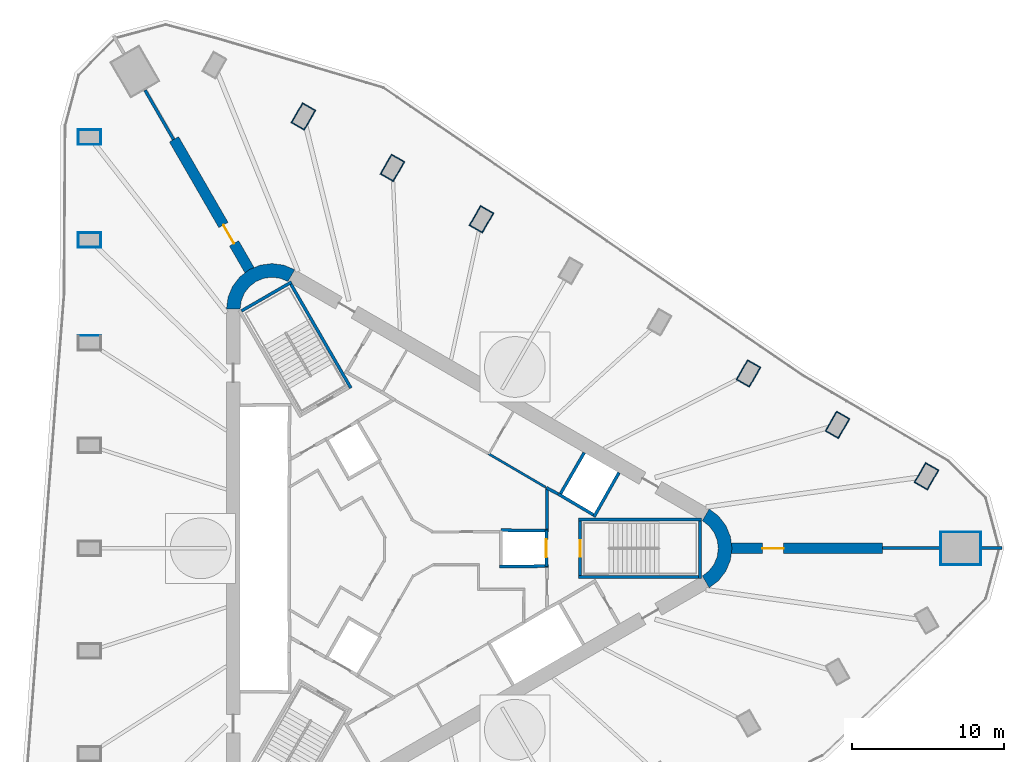
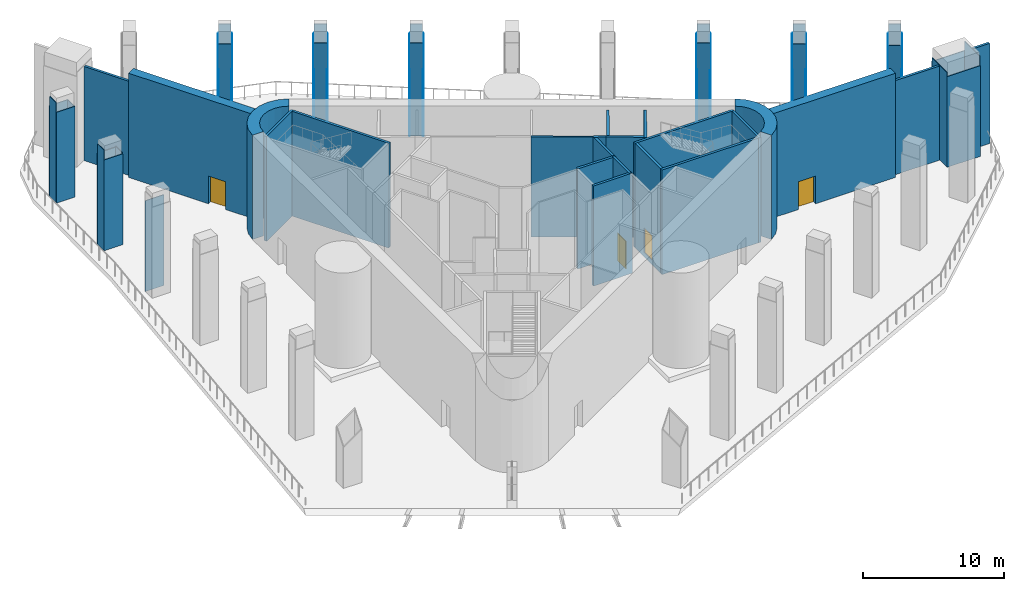
# One storey, part 5 of 10: 59 walls, 4 doors, 4 openings.
"""IFC4 building model written with IfcOpenShell, lengths in metres."""

from ifc_helpers import new_model, si_unit, direction, frame, frame_2d, origin, place, context, subcontext, project, spatial, polyline, rectangle, outline, extrude, material, layer, layer_set, type_object, element, fill, save


model = new_model("IFC4")

# Units and contexts
model_context = context("Model", 3, precision=1e-05, world=origin(), true_north=direction((0.0, 1.0)))
body_context = subcontext(model_context, "Body", "Model", "MODEL_VIEW")
ifc_project = project(units=[si_unit("LENGTHUNIT", "METRE"), si_unit("AREAUNIT", "SQUARE_METRE"), si_unit("VOLUMEUNIT", "CUBIC_METRE"), si_unit("PLANEANGLEUNIT", "RADIAN"), si_unit("MASSUNIT", "GRAM", prefix="KILO")], contexts=[model_context])

# Site, building, storey
site_placement = place(None, origin())
site = spatial("IfcSite", under=ifc_project, at=site_placement, CompositionType="ELEMENT")
building_placement = place(site_placement, origin())
building = spatial("IfcBuilding", under=site, at=building_placement, Name="Tanit Gate Tower", CompositionType="ELEMENT")
storey_placement = place(building_placement, frame((0.0, 0.0, 283.699951171875)))
storey = spatial("IfcBuildingStorey", under=building, at=storey_placement, Name="L64", CompositionType="ELEMENT", Elevation=283.699951171875)

# Wall, opening, door
ifc_material_1 = material(Name="Concrete C50/60", Category="concrete")
ifc_layer_1 = layer(ifc_material_1, 0.699951171875)
ifc_layer_set_1 = layer_set([ifc_layer_1], Name="BUTTRESS FIN 700 C50/60")
wall_type_1 = type_object("IfcWallType", Name="BUTTRESS FIN 700 C50/60", PredefinedType="SHEAR", material=ifc_layer_set_1)
wall_1_placement = place(storey_placement, frame((21.14990234375, 0.0, 0.0), z_axis=(0.0, 0.0, 1.0), x_axis=(1.0, 0.0, 0.0)))
wall_1 = element("IfcWall", 1, at=wall_1_placement, inside=storey, type_object=wall_type_1, Name="BUTTRESS FIN", PredefinedType="SHEAR", context=body_context, shape_type="SweptSolid", body=[
    extrude(rectangle(XDim=9.964599609375, YDim=0.699951171875, at=frame_2d((4.982421875, 0.0))), origin(), (0.0, 0.0, 1.0), 9.0),
])
opening_1_placement = place(wall_1_placement, frame((2.050048828125, 0.0, 0.0)))
opening_1 = element("IfcOpeningElement", 2, at=opening_1_placement, cuts=wall_1, Name="Opening P14-64-F-E-1", PredefinedType="OPENING", context=body_context, shape_type="SweptSolid", body=[
    extrude(rectangle(XDim=1.39990234375, YDim=2.39990234375, at=frame_2d((0.699951171875, 1.199951171875))), frame((0.0, 0.35986328125, 0.0), z_axis=(0.0, -1.0, 0.0), x_axis=(1.0, 0.0, 0.0)), (0.0, 0.0, 1.0), 0.719970703125),
])
ifc_material_2 = material(Name="Timber door leaf", Category="wood")
door_type_1 = type_object("IfcDoorType", Name="INT-DOOR-FIN-PAIR-1400", OperationType="NOTDEFINED", PredefinedType="NOTDEFINED", material=ifc_material_2)
door_1_placement = place(opening_1_placement, origin())
door_1 = element("IfcDoor", 3, at=door_1_placement, inside=storey, type_object=door_type_1, Name="Door P14-64-F-E-1", OperationType="DOUBLE_DOOR_SINGLE_SWING", OverallHeight=2.39990234375, OverallWidth=1.39990234375, PredefinedType="NOTDEFINED", context=body_context, shape_type="SweptSolid", body=[
    extrude(rectangle(XDim=1.39990234375, YDim=2.39990234375, at=frame_2d((0.699951171875, 1.199951171875))), frame((0.0, 0.02490234375, 0.0), z_axis=(0.0, -1.0, 0.0), x_axis=(1.0, 0.0, 0.0)), (0.0, 0.0, 1.0), 0.050048828125),
])
fill(opening_1, door_1)

wall_2_placement = place(storey_placement, frame((-10.574951171875, 18.31640625, 0.0), z_axis=(0.0, 0.0, 1.0), x_axis=(-0.500007350791, 0.866021159762, 0.0)))
wall_2 = element("IfcWall", 4, at=wall_2_placement, inside=storey, type_object=wall_type_1, Name="BUTTRESS FIN", PredefinedType="SHEAR", context=body_context, shape_type="SweptSolid", body=[
    extrude(rectangle(XDim=9.964599609375, YDim=0.699951171875, at=frame_2d((4.982421875, 0.0))), origin(), (0.0, 0.0, 1.0), 9.0),
])
opening_2_placement = place(wall_2_placement, frame((2.050048828125, 0.0, 0.0)))
opening_2 = element("IfcOpeningElement", 5, at=opening_2_placement, cuts=wall_2, Name="Opening P14-64-F-NW-1", PredefinedType="OPENING", context=body_context, shape_type="SweptSolid", body=[
    extrude(rectangle(XDim=1.39990234375, YDim=2.39990234375, at=frame_2d((0.699951171875, 1.199951171875))), frame((0.0, 0.35986328125, 0.0), z_axis=(0.0, -1.0, 0.0), x_axis=(1.0, 0.0, 0.0)), (0.0, 0.0, 1.0), 0.719970703125),
])
door_2_placement = place(opening_2_placement, origin())
door_2 = element("IfcDoor", 6, at=door_2_placement, inside=storey, type_object=door_type_1, Name="Door P14-64-F-NW-1", OperationType="DOUBLE_DOOR_SINGLE_SWING", OverallHeight=2.39990234375, OverallWidth=1.39990234375, PredefinedType="NOTDEFINED", context=body_context, shape_type="SweptSolid", body=[
    extrude(rectangle(XDim=1.39990234375, YDim=2.39990234375, at=frame_2d((0.699951171875, 1.199951171875))), frame((0.0, 0.02490234375, 0.0), z_axis=(0.0, -1.0, 0.0), x_axis=(1.0, 0.0, 0.0)), (0.0, 0.0, 1.0), 0.050048828125),
])
fill(opening_2, door_2)

# Walls
ifc_material_3 = material(Name="Concrete C50/60", Category="concrete")
ifc_layer_2 = layer(ifc_material_3, 0.89990234375)
ifc_layer_set_2 = layer_set([ifc_layer_2], Name="CORE WALL 900 C50/60")
wall_type_2 = type_object("IfcWallType", Name="CORE WALL 900 C50/60", PredefinedType="SHEAR", material=ifc_layer_set_2)
wall_3_placement = place(storey_placement, origin())
element("IfcWall", 7, at=wall_3_placement, inside=storey, type_object=wall_type_2, Name="CORE WALL CORNER", PredefinedType="SHEAR", context=body_context, shape_type="SweptSolid", body=[
    extrude(outline(polyline([(-7.60009765625, 18.359619140625), (-8.323486328125, 18.659423828125), (-9.10009765625, 18.76171875), (-9.87646484375, 18.659423828125), (-10.60009765625, 18.359619140625), (-11.22119140625, 17.883056640625), (-11.697998046875, 17.26171875), (-11.997802734375, 16.5380859375), (-12.10009765625, 15.76171875), (-11.199951171875, 15.76171875), (-11.12841796875, 16.30517578125), (-10.918701171875, 16.811767578125), (-10.5849609375, 17.24658203125), (-10.14990234375, 17.580322265625), (-9.6435546875, 17.7900390625), (-9.10009765625, 17.86181640625), (-8.556396484375, 17.7900390625), (-8.050048828125, 17.580322265625), (-7.60009765625, 18.359619140625)])), origin(), (0.0, 0.0, 1.0), 9.0),
])
wall_4_placement = place(storey_placement, origin())
element("IfcWall", 8, at=wall_4_placement, inside=storey, type_object=wall_type_2, Name="CORE WALL CORNER", PredefinedType="SHEAR", context=body_context, shape_type="SweptSolid", body=[
    extrude(outline(polyline([(19.699951171875, -2.59814453125), (20.3212890625, -2.121337890625), (20.798095703125, -1.5), (21.097900390625, -0.776611328125), (21.199951171875, 0.0), (21.097900390625, 0.776611328125), (20.798095703125, 1.5), (20.3212890625, 2.121337890625), (19.699951171875, 2.59814453125), (19.25, 1.818603515625), (19.684814453125, 1.48486328125), (20.018798828125, 1.050048828125), (20.228515625, 0.54345703125), (20.300048828125, 0.0), (20.228515625, -0.54345703125), (20.018798828125, -1.050048828125), (19.684814453125, -1.48486328125), (19.25, -1.818603515625), (19.699951171875, -2.59814453125)])), origin(), (0.0, 0.0, 1.0), 9.0),
])
ifc_material_4 = material(Name="Bronze anodised aluminium cladding", Category="aluminium")
ifc_layer_3 = layer(ifc_material_4, 0.06005859375)
ifc_layer_set_3 = layer_set([ifc_layer_3], Name="Column casing bronze 60")
wall_type_3 = type_object("IfcWallType", Name="Column casing bronze 60", PredefinedType="SOLIDWALL", material=ifc_layer_set_3)
for number, where, z_axis, x_axis, name in (
    (9, (34.91015625, 1.080078125, 0.0), (0.0, 0.0, 1.0), (1.0, 0.0, 0.0), "Column casing L64 M-E.L1"),
    (10, (34.91015625, -1.080078125, 0.0), (0.0, 0.0, 1.0), (1.0, 0.0, 0.0), "Column casing L64 M-E.L2"),
):
    element("IfcWall", number, at=place(storey_placement, frame(where, z_axis=z_axis, x_axis=x_axis)), inside=storey, type_object=wall_type_3, Name=name, PredefinedType="SOLIDWALL", context=body_context, shape_type="SweptSolid", body=[
        extrude(rectangle(XDim=2.719970703125, YDim=0.06005859375, at=frame_2d((1.35986328125, 0.0))), origin(), (0.0, 0.0, 1.0), 7.8359375),
    ])
wall_5_placement = place(storey_placement, frame((37.60009765625, -1.050048828125, 0.0), z_axis=(0.0, 0.0, 1.0), x_axis=(0.0, 1.0, 0.0)))
element("IfcWall", 11, at=wall_5_placement, inside=storey, type_object=wall_type_3, Name="Column casing L64 M-E.S1", PredefinedType="SOLIDWALL", context=body_context, shape_type="SweptSolid", body=[
    extrude(rectangle(XDim=2.10009765625, YDim=0.06005859375, at=frame_2d((1.050048828125, 0.0))), origin(), (0.0, 0.0, 1.0), 8.650146484375),
])
wall_6_placement = place(storey_placement, frame((34.940185546875, -1.050048828125, 0.0), z_axis=(0.0, 0.0, 1.0), x_axis=(0.0, 1.0, 0.0)))
element("IfcWall", 12, at=wall_6_placement, inside=storey, type_object=wall_type_3, Name="Column casing L64 M-E.S2", PredefinedType="SOLIDWALL", context=body_context, shape_type="SweptSolid", body=[
    extrude(rectangle(XDim=2.10009765625, YDim=0.06005859375, at=frame_2d((1.050048828125, 0.0))), origin(), (0.0, 0.0, 1.0), 8.16015625),
])
for number, where, z_axis, x_axis, name in (
    (13, (-20.361328125, 26.60400390625, 0.0), (0.0, 0.0, 1.0), (-1.0, 0.0, 0.0), "Column casing L64 P-W1.L1"),
    (14, (-20.361328125, 27.56396484375, 0.0), (0.0, 0.0, 1.0), (-1.0, 0.0, 0.0), "Column casing L64 P-W1.L2"),
):
    element("IfcWall", number, at=place(storey_placement, frame(where, z_axis=z_axis, x_axis=x_axis)), inside=storey, type_object=wall_type_3, Name=name, PredefinedType="SOLIDWALL", context=body_context, shape_type="SweptSolid", body=[
        extrude(rectangle(XDim=1.52001953125, YDim=0.06005859375, at=frame_2d((0.760009765625, 0.0))), origin(), (0.0, 0.0, 1.0), 7.8359375),
    ])
wall_7_placement = place(storey_placement, frame((-21.851318359375, 27.533935546875, 0.0), z_axis=(0.0, 0.0, 1.0), x_axis=(0.0, -1.0, 0.0)))
element("IfcWall", 15, at=wall_7_placement, inside=storey, type_object=wall_type_3, Name="Column casing L64 P-W1.S1", PredefinedType="SOLIDWALL", context=body_context, shape_type="SweptSolid", body=[
    extrude(rectangle(XDim=0.900146484375, YDim=0.06005859375, at=frame_2d((0.4501953125, 0.0))), origin(), (0.0, 0.0, 1.0), 8.650146484375),
])
wall_8_placement = place(storey_placement, frame((-20.391357421875, 27.533935546875, 0.0), z_axis=(0.0, 0.0, 1.0), x_axis=(0.0, -1.0, 0.0)))
element("IfcWall", 16, at=wall_8_placement, inside=storey, type_object=wall_type_3, Name="Column casing L64 P-W1.S2", PredefinedType="SOLIDWALL", context=body_context, shape_type="SweptSolid", body=[
    extrude(rectangle(XDim=0.900146484375, YDim=0.06005859375, at=frame_2d((0.4501953125, 0.0))), origin(), (0.0, 0.0, 1.0), 7.8359375),
])
for number, where, z_axis, x_axis, name in (
    (17, (-20.361328125, 19.8330078125, 0.0), (0.0, 0.0, 1.0), (-1.0, 0.0, 0.0), "Column casing L64 P-W2.L1"),
    (18, (-20.361328125, 20.79296875, 0.0), (0.0, 0.0, 1.0), (-1.0, 0.0, 0.0), "Column casing L64 P-W2.L2"),
):
    element("IfcWall", number, at=place(storey_placement, frame(where, z_axis=z_axis, x_axis=x_axis)), inside=storey, type_object=wall_type_3, Name=name, PredefinedType="SOLIDWALL", context=body_context, shape_type="SweptSolid", body=[
        extrude(rectangle(XDim=1.52001953125, YDim=0.06005859375, at=frame_2d((0.760009765625, 0.0))), origin(), (0.0, 0.0, 1.0), 7.8359375),
    ])
wall_9_placement = place(storey_placement, frame((-21.851318359375, 20.762939453125, 0.0), z_axis=(0.0, 0.0, 1.0), x_axis=(0.0, -1.0, 0.0)))
element("IfcWall", 19, at=wall_9_placement, inside=storey, type_object=wall_type_3, Name="Column casing L64 P-W2.S1", PredefinedType="SOLIDWALL", context=body_context, shape_type="SweptSolid", body=[
    extrude(rectangle(XDim=0.900146484375, YDim=0.06005859375, at=frame_2d((0.4501953125, 0.0))), origin(), (0.0, 0.0, 1.0), 8.650146484375),
])
wall_10_placement = place(storey_placement, frame((-20.391357421875, 20.762939453125, 0.0), z_axis=(0.0, 0.0, 1.0), x_axis=(0.0, -1.0, 0.0)))
element("IfcWall", 20, at=wall_10_placement, inside=storey, type_object=wall_type_3, Name="Column casing L64 P-W2.S2", PredefinedType="SOLIDWALL", context=body_context, shape_type="SweptSolid", body=[
    extrude(rectangle(XDim=0.900146484375, YDim=0.06005859375, at=frame_2d((0.4501953125, 0.0))), origin(), (0.0, 0.0, 1.0), 7.9599609375),
])
for number, where, z_axis, x_axis, name in (
    (21, (-20.361328125, 14.02197265625, 0.0), (0.0, 0.0, 1.0), (-1.0, 0.0, 0.0), "Column casing L64 P-W3.L2"),
    (22, (33.220458984375, 4.33154296875, 0.0), (0.0, 0.0, 1.0), (0.499991248344, 0.866030456496, 0.0), "Column casing L64 P-NE1.L1"),
    (23, (34.0517578125, 3.8515625, 0.0), (0.0, 0.0, 1.0), (0.499991248344, 0.866030456496, 0.0), "Column casing L64 P-NE1.L2"),
):
    element("IfcWall", number, at=place(storey_placement, frame(where, z_axis=z_axis, x_axis=x_axis)), inside=storey, type_object=wall_type_3, Name=name, PredefinedType="SOLIDWALL", context=body_context, shape_type="SweptSolid", body=[
        extrude(rectangle(XDim=1.52001953125, YDim=0.06005859375, at=frame_2d((0.760009765625, 0.0))), origin(), (0.0, 0.0, 1.0), 7.8359375),
    ])
wall_11_placement = place(storey_placement, frame((34.770751953125, 5.156982421875, 0.0), z_axis=(0.0, 0.0, 1.0), x_axis=(-0.866013897511, 0.50001992892, 0.0)))
element("IfcWall", 24, at=wall_11_placement, inside=storey, type_object=wall_type_3, Name="Column casing L64 P-NE1.S1", PredefinedType="SOLIDWALL", context=body_context, shape_type="SweptSolid", body=[
    extrude(rectangle(XDim=0.89990234375, YDim=0.06005859375, at=frame_2d((0.449951171875, 0.0))), origin(), (0.0, 0.0, 1.0), 8.650146484375),
])
wall_12_placement = place(storey_placement, frame((34.040771484375, 3.892578125, 0.0), z_axis=(0.0, 0.0, 1.0), x_axis=(-0.866013897511, 0.50001992892, 0.0)))
element("IfcWall", 25, at=wall_12_placement, inside=storey, type_object=wall_type_3, Name="Column casing L64 P-NE1.S2", PredefinedType="SOLIDWALL", context=body_context, shape_type="SweptSolid", body=[
    extrude(rectangle(XDim=0.89990234375, YDim=0.06005859375, at=frame_2d((0.449951171875, 0.0))), origin(), (0.0, 0.0, 1.0), 7.8359375),
])
for number, where, z_axis, x_axis, name in (
    (26, (27.3564453125, 7.717041015625, 0.0), (0.0, 0.0, 1.0), (0.499991248344, 0.866030456496, 0.0), "Column casing L64 P-NE2.L1"),
    (27, (28.18798828125, 7.237060546875, 0.0), (0.0, 0.0, 1.0), (0.499991248344, 0.866030456496, 0.0), "Column casing L64 P-NE2.L2"),
):
    element("IfcWall", number, at=place(storey_placement, frame(where, z_axis=z_axis, x_axis=x_axis)), inside=storey, type_object=wall_type_3, Name=name, PredefinedType="SOLIDWALL", context=body_context, shape_type="SweptSolid", body=[
        extrude(rectangle(XDim=1.52001953125, YDim=0.06005859375, at=frame_2d((0.760009765625, 0.0))), origin(), (0.0, 0.0, 1.0), 7.8359375),
    ])
wall_13_placement = place(storey_placement, frame((28.906982421875, 8.54248046875, 0.0), z_axis=(0.0, 0.0, 1.0), x_axis=(-0.866081705922, 0.499902469156, 0.0)))
element("IfcWall", 28, at=wall_13_placement, inside=storey, type_object=wall_type_3, Name="Column casing L64 P-NE2.S1", PredefinedType="SOLIDWALL", context=body_context, shape_type="SweptSolid", body=[
    extrude(rectangle(XDim=0.900146484375, YDim=0.06005859375, at=frame_2d((0.4501953125, 0.0))), origin(), (0.0, 0.0, 1.0), 8.650146484375),
])
wall_14_placement = place(storey_placement, frame((28.177001953125, 7.278076171875, 0.0), z_axis=(0.0, 0.0, 1.0), x_axis=(-0.866081705922, 0.499902469156, 0.0)))
element("IfcWall", 29, at=wall_14_placement, inside=storey, type_object=wall_type_3, Name="Column casing L64 P-NE2.S2", PredefinedType="SOLIDWALL", context=body_context, shape_type="SweptSolid", body=[
    extrude(rectangle(XDim=0.900146484375, YDim=0.06005859375, at=frame_2d((0.4501953125, 0.0))), origin(), (0.0, 0.0, 1.0), 7.9599609375),
])
for number, where, z_axis, x_axis, name in (
    (30, (21.49267578125, 11.1025390625, 0.0), (0.0, 0.0, 1.0), (0.499991248344, 0.866030456496, 0.0), "Column casing L64 P-NE3.L1"),
    (31, (22.32421875, 10.62255859375, 0.0), (0.0, 0.0, 1.0), (0.49987077196, 0.866100000774, 0.0), "Column casing L64 P-NE3.L2"),
):
    element("IfcWall", number, at=place(storey_placement, frame(where, z_axis=z_axis, x_axis=x_axis)), inside=storey, type_object=wall_type_3, Name=name, PredefinedType="SOLIDWALL", context=body_context, shape_type="SweptSolid", body=[
        extrude(rectangle(XDim=1.52001953125, YDim=0.06005859375, at=frame_2d((0.760009765625, 0.0))), origin(), (0.0, 0.0, 1.0), 7.8359375),
    ])
wall_15_placement = place(storey_placement, frame((23.043212890625, 11.927978515625, 0.0), z_axis=(0.0, 0.0, 1.0), x_axis=(-0.866081705922, 0.499902469156, 0.0)))
element("IfcWall", 32, at=wall_15_placement, inside=storey, type_object=wall_type_3, Name="Column casing L64 P-NE3.S1", PredefinedType="SOLIDWALL", context=body_context, shape_type="SweptSolid", body=[
    extrude(rectangle(XDim=0.900146484375, YDim=0.06005859375, at=frame_2d((0.4501953125, 0.0))), origin(), (0.0, 0.0, 1.0), 8.650146484375),
])
wall_16_placement = place(storey_placement, frame((22.31298828125, 10.66357421875, 0.0), z_axis=(0.0, 0.0, 1.0), x_axis=(-0.866013897511, 0.50001992892, 0.0)))
element("IfcWall", 33, at=wall_16_placement, inside=storey, type_object=wall_type_3, Name="Column casing L64 P-NE3.S2", PredefinedType="SOLIDWALL", context=body_context, shape_type="SweptSolid", body=[
    extrude(rectangle(XDim=0.89990234375, YDim=0.06005859375, at=frame_2d((0.449951171875, 0.0))), origin(), (0.0, 0.0, 1.0), 8.050048828125),
])
for number, where, z_axis, x_axis, name in (
    (34, (3.901123046875, 21.259033203125, 0.0), (0.0, 0.0, 1.0), (0.499991248344, 0.866030456496, 0.0), "Column casing L64 P-NE6.L1"),
    (35, (4.732666015625, 20.779052734375, 0.0), (0.0, 0.0, 1.0), (0.499991248344, 0.866030456496, 0.0), "Column casing L64 P-NE6.L2"),
):
    element("IfcWall", number, at=place(storey_placement, frame(where, z_axis=z_axis, x_axis=x_axis)), inside=storey, type_object=wall_type_3, Name=name, PredefinedType="SOLIDWALL", context=body_context, shape_type="SweptSolid", body=[
        extrude(rectangle(XDim=1.52001953125, YDim=0.06005859375, at=frame_2d((0.760009765625, 0.0))), origin(), (0.0, 0.0, 1.0), 7.8359375),
    ])
wall_17_placement = place(storey_placement, frame((5.45166015625, 22.08447265625, 0.0), z_axis=(0.0, 0.0, 1.0), x_axis=(-0.866081705922, 0.499902469156, 0.0)))
element("IfcWall", 36, at=wall_17_placement, inside=storey, type_object=wall_type_3, Name="Column casing L64 P-NE6.S1", PredefinedType="SOLIDWALL", context=body_context, shape_type="SweptSolid", body=[
    extrude(rectangle(XDim=0.900146484375, YDim=0.06005859375, at=frame_2d((0.4501953125, 0.0))), origin(), (0.0, 0.0, 1.0), 8.650146484375),
])
wall_18_placement = place(storey_placement, frame((4.7216796875, 20.820068359375, 0.0), z_axis=(0.0, 0.0, 1.0), x_axis=(-0.866081705922, 0.499902469156, 0.0)))
element("IfcWall", 37, at=wall_18_placement, inside=storey, type_object=wall_type_3, Name="Column casing L64 P-NE6.S2", PredefinedType="SOLIDWALL", context=body_context, shape_type="SweptSolid", body=[
    extrude(rectangle(XDim=0.900146484375, YDim=0.06005859375, at=frame_2d((0.4501953125, 0.0))), origin(), (0.0, 0.0, 1.0), 8.050048828125),
])
for number, where, z_axis, x_axis, name in (
    (38, (-1.962646484375, 24.64453125, 0.0), (0.0, 0.0, 1.0), (0.499991248344, 0.866030456496, 0.0), "Column casing L64 P-NE7.L1"),
    (39, (-1.13134765625, 24.16455078125, 0.0), (0.0, 0.0, 1.0), (0.499991248344, 0.866030456496, 0.0), "Column casing L64 P-NE7.L2"),
):
    element("IfcWall", number, at=place(storey_placement, frame(where, z_axis=z_axis, x_axis=x_axis)), inside=storey, type_object=wall_type_3, Name=name, PredefinedType="SOLIDWALL", context=body_context, shape_type="SweptSolid", body=[
        extrude(rectangle(XDim=1.52001953125, YDim=0.06005859375, at=frame_2d((0.760009765625, 0.0))), origin(), (0.0, 0.0, 1.0), 7.8359375),
    ])
wall_19_placement = place(storey_placement, frame((-0.412353515625, 25.469970703125, 0.0), z_axis=(0.0, 0.0, 1.0), x_axis=(-0.866013897511, 0.50001992892, 0.0)))
element("IfcWall", 40, at=wall_19_placement, inside=storey, type_object=wall_type_3, Name="Column casing L64 P-NE7.S1", PredefinedType="SOLIDWALL", context=body_context, shape_type="SweptSolid", body=[
    extrude(rectangle(XDim=0.89990234375, YDim=0.06005859375, at=frame_2d((0.449951171875, 0.0))), origin(), (0.0, 0.0, 1.0), 8.650146484375),
])
wall_20_placement = place(storey_placement, frame((-1.142333984375, 24.20556640625, 0.0), z_axis=(0.0, 0.0, 1.0), x_axis=(-0.866013897511, 0.50001992892, 0.0)))
element("IfcWall", 41, at=wall_20_placement, inside=storey, type_object=wall_type_3, Name="Column casing L64 P-NE7.S2", PredefinedType="SOLIDWALL", context=body_context, shape_type="SweptSolid", body=[
    extrude(rectangle(XDim=0.89990234375, YDim=0.06005859375, at=frame_2d((0.449951171875, 0.0))), origin(), (0.0, 0.0, 1.0), 8.050048828125),
])
for number, where, z_axis, x_axis, name in (
    (42, (-7.826416015625, 28.030029296875, 0.0), (0.0, 0.0, 1.0), (0.499991248344, 0.866030456496, 0.0), "Column casing L64 P-NE8.L1"),
    (43, (-6.9951171875, 27.550048828125, 0.0), (0.0, 0.0, 1.0), (0.499991248344, 0.866030456496, 0.0), "Column casing L64 P-NE8.L2"),
):
    element("IfcWall", number, at=place(storey_placement, frame(where, z_axis=z_axis, x_axis=x_axis)), inside=storey, type_object=wall_type_3, Name=name, PredefinedType="SOLIDWALL", context=body_context, shape_type="SweptSolid", body=[
        extrude(rectangle(XDim=1.52001953125, YDim=0.06005859375, at=frame_2d((0.760009765625, 0.0))), origin(), (0.0, 0.0, 1.0), 7.8359375),
    ])
wall_21_placement = place(storey_placement, frame((-6.276123046875, 28.85546875, 0.0), z_axis=(0.0, 0.0, 1.0), x_axis=(-0.866013897511, 0.50001992892, 0.0)))
element("IfcWall", 44, at=wall_21_placement, inside=storey, type_object=wall_type_3, Name="Column casing L64 P-NE8.S1", PredefinedType="SOLIDWALL", context=body_context, shape_type="SweptSolid", body=[
    extrude(rectangle(XDim=0.89990234375, YDim=0.06005859375, at=frame_2d((0.449951171875, 0.0))), origin(), (0.0, 0.0, 1.0), 8.650146484375),
])
wall_22_placement = place(storey_placement, frame((-7.006103515625, 27.591064453125, 0.0), z_axis=(0.0, 0.0, 1.0), x_axis=(-0.866013897511, 0.50001992892, 0.0)))
element("IfcWall", 45, at=wall_22_placement, inside=storey, type_object=wall_type_3, Name="Column casing L64 P-NE8.S2", PredefinedType="SOLIDWALL", context=body_context, shape_type="SweptSolid", body=[
    extrude(rectangle(XDim=0.89990234375, YDim=0.06005859375, at=frame_2d((0.449951171875, 0.0))), origin(), (0.0, 0.0, 1.0), 7.9599609375),
])
ifc_material_5 = material(Name="Fire-rated gypsum board partition")
ifc_layer_4 = layer(ifc_material_5, 0.199951171875)
ifc_layer_set_4 = layer_set([ifc_layer_4], Name="INT-WALL-COMPARTMENT")
wall_type_4 = type_object("IfcWallType", Name="INT-WALL-COMPARTMENT", PredefinedType="PARTITIONING", material=ifc_layer_set_4)
wall_23_placement = place(storey_placement, frame((8.97412109375, 3.998779296875, 0.0), z_axis=(0.0, 0.0, 1.0), x_axis=(0.880917147855, -0.473270513147, 0.0)))
element("IfcWall", 46, at=wall_23_placement, inside=storey, type_object=wall_type_4, Name="Wall Compartment W045", PredefinedType="PARTITIONING", context=body_context, shape_type="SweptSolid", body=[
    extrude(rectangle(XDim=0.8779296875, YDim=0.199951171875, at=frame_2d((0.43896484375, 0.0))), origin(), (0.0, 0.0, 1.0), 8.650146484375),
])
wall_24_placement = place(storey_placement, frame((9.0009765625, 1.27001953125, 0.0), z_axis=(0.0, 0.0, 1.0), x_axis=(0.01074821465, 0.999942236273, 0.0)))
element("IfcWall", 47, at=wall_24_placement, inside=storey, type_object=wall_type_4, Name="Wall Compartment W059", PredefinedType="PARTITIONING", context=body_context, shape_type="SweptSolid", body=[
    extrude(rectangle(XDim=2.725830078125, YDim=0.199951171875, at=frame_2d((1.36279296875, 0.0))), origin(), (0.0, 0.0, 1.0), 8.650146484375),
])
wall_25_placement = place(storey_placement, frame((-17.461181640625, 30.183349609375, 0.0), z_axis=(0.0, 0.0, 1.0), x_axis=(0.500026313257, -0.866010211285, 0.0)))
element("IfcWall", 48, at=wall_25_placement, inside=storey, type_object=wall_type_4, Name="Wall Compartment W084", PredefinedType="PARTITIONING", context=body_context, shape_type="SweptSolid", body=[
    extrude(rectangle(XDim=3.755615234375, YDim=0.199951171875, at=frame_2d((1.8779296875, 0.0))), origin(), (0.0, 0.0, 1.0), 8.130126953125),
])
wall_26_placement = place(storey_placement, frame((38.988037109375, 0.030029296875, 0.0), z_axis=(0.0, 0.0, 1.0), x_axis=(-1.0, 0.0, 0.0)))
element("IfcWall", 49, at=wall_26_placement, inside=storey, type_object=wall_type_4, Name="Wall Compartment W088", PredefinedType="PARTITIONING", context=body_context, shape_type="SweptSolid", body=[
    extrude(rectangle(XDim=1.31787109375, YDim=0.199951171875, at=frame_2d((0.658935546875, 0.0))), origin(), (0.0, 0.0, 1.0), 8.650146484375),
])
wall_27_placement = place(storey_placement, frame((34.8701171875, 0.030029296875, 0.0), z_axis=(0.0, 0.0, 1.0), x_axis=(-1.0, 0.0, 0.0)))
element("IfcWall", 50, at=wall_27_placement, inside=storey, type_object=wall_type_4, Name="Wall Compartment W087", PredefinedType="PARTITIONING", context=body_context, shape_type="SweptSolid", body=[
    extrude(rectangle(XDim=3.755615234375, YDim=0.199951171875, at=frame_2d((1.8779296875, 0.0))), origin(), (0.0, 0.0, 1.0), 8.130126953125),
])
ifc_material_6 = material(Name="Fire-rated gypsum board partition")
ifc_layer_5 = layer(ifc_material_6, 0.14990234375)
ifc_layer_set_5 = layer_set([ifc_layer_5], Name="INT-WALL-RISER")
wall_type_5 = type_object("IfcWallType", Name="INT-WALL-RISER", PredefinedType="PLUMBINGWALL", material=ifc_layer_set_5)
wall_28_placement = place(storey_placement, frame((8.9306640625, 4.024658203125, 0.0), z_axis=(0.0, 0.0, 1.0), x_axis=(-0.862666884027, 0.505772525157, 0.0)))
element("IfcWall", 51, at=wall_28_placement, inside=storey, type_object=wall_type_5, Name="Wall Riser W046", PredefinedType="PLUMBINGWALL", context=body_context, shape_type="SweptSolid", body=[
    extrude(rectangle(XDim=4.371826171875, YDim=0.14990234375, at=frame_2d((2.18603515625, 0.0))), origin(), (0.0, 0.0, 1.0), 8.650146484375),
])
ifc_material_7 = material(Name="Gypsum shaft wall system")
ifc_layer_6 = layer(ifc_material_7, 0.199951171875)
ifc_layer_set_6 = layer_set([ifc_layer_6], Name="INT-WALL-SHAFT")
wall_type_6 = type_object("IfcWallType", Name="INT-WALL-SHAFT", PredefinedType="PLUMBINGWALL", material=ifc_layer_set_6)
wall_29_placement = place(storey_placement, frame((9.8466796875, 3.494873046875, 0.0), z_axis=(0.0, 0.0, 1.0), x_axis=(0.499984717929, 0.866034226713, 0.0)))
element("IfcWall", 52, at=wall_29_placement, inside=storey, type_object=wall_type_6, Name="Wall Shaft W012", PredefinedType="PLUMBINGWALL", context=body_context, shape_type="SweptSolid", body=[
    extrude(rectangle(XDim=3.25, YDim=0.199951171875, at=frame_2d((1.625, 0.0))), origin(), (0.0, 0.0, 1.0), 8.650146484375),
])
wall_30_placement = place(storey_placement, frame((12.10986328125, 2.07275390625, 0.0), z_axis=(0.0, 0.0, 1.0), x_axis=(0.49196600604, 0.870614408852, 0.0)))
element("IfcWall", 53, at=wall_30_placement, inside=storey, type_object=wall_type_6, Name="Wall Shaft W013", PredefinedType="PLUMBINGWALL", context=body_context, shape_type="SweptSolid", body=[
    extrude(rectangle(XDim=3.35009765625, YDim=0.199951171875, at=frame_2d((1.675048828125, 0.0))), origin(), (0.0, 0.0, 1.0), 8.650146484375),
])
wall_31_placement = place(storey_placement, frame((12.072998046875, 2.2109375, 0.0), z_axis=(0.0, 0.0, 1.0), x_axis=(-0.860414880418, 0.509594185166, 0.0)))
element("IfcWall", 54, at=wall_31_placement, inside=storey, type_object=wall_type_6, Name="Wall Shaft W014", PredefinedType="PLUMBINGWALL", context=body_context, shape_type="SweptSolid", body=[
    extrude(rectangle(XDim=2.7001953125, YDim=0.199951171875, at=frame_2d((1.35009765625, 0.0))), origin(), (0.0, 0.0, 1.0), 8.650146484375),
])

# Wall, opening, door
wall_32_placement = place(storey_placement, frame((8.969970703125, 1.199951171875, 0.0), z_axis=(0.0, 0.0, 1.0), x_axis=(0.0, -1.0, 0.0)))
wall_32 = element("IfcWall", 55, at=wall_32_placement, inside=storey, type_object=wall_type_6, Name="Wall Shaft W024", PredefinedType="PLUMBINGWALL", context=body_context, shape_type="SweptSolid", body=[
    extrude(rectangle(XDim=2.39990234375, YDim=0.199951171875, at=frame_2d((1.199951171875, 0.0))), origin(), (0.0, 0.0, 1.0), 8.650146484375),
])
opening_3_placement = place(wall_32_placement, frame((0.60009765625, 0.0, 0.0)))
opening_3 = element("IfcOpeningElement", 56, at=opening_3_placement, cuts=wall_32, Name="Opening LDFL1-L64", PredefinedType="OPENING", context=body_context, shape_type="SweptSolid", body=[
    extrude(rectangle(XDim=1.199951171875, YDim=2.39990234375, at=frame_2d((0.60009765625, 1.199951171875))), frame((0.0, 0.10986328125, 0.0), z_axis=(0.0, -1.0, 0.0), x_axis=(1.0, 0.0, 0.0)), (0.0, 0.0, 1.0), 0.219970703125),
])
ifc_material_8 = material(Name="Stainless steel sliding door leaf", Category="steel")
door_type_2 = type_object("IfcDoorType", Name="INT-DOOR-LANDING-1200", OperationType="NOTDEFINED", PredefinedType="USERDEFINED", material=ifc_material_8)
door_3_placement = place(opening_3_placement, origin())
door_3 = element("IfcDoor", 57, at=door_3_placement, inside=storey, type_object=door_type_2, Name="Door LDFL1-L64", ObjectType="LANDING DOOR", OperationType="SLIDING_TO_LEFT", OverallHeight=2.39990234375, OverallWidth=1.199951171875, PredefinedType="USERDEFINED", context=body_context, shape_type="SweptSolid", body=[
    extrude(rectangle(XDim=1.199951171875, YDim=2.39990234375, at=frame_2d((0.60009765625, 1.199951171875))), frame((0.0, 0.02490234375, 0.0), z_axis=(0.0, -1.0, 0.0), x_axis=(1.0, 0.0, 0.0)), (0.0, 0.0, 1.0), 0.050048828125),
])
fill(opening_3, door_3)

# Walls
wall_33_placement = place(storey_placement, frame((6.0, 1.199951171875, 0.0), z_axis=(0.0, 0.0, 1.0), x_axis=(0.999949988, -0.010001074852, 0.0)))
element("IfcWall", 58, at=wall_33_placement, inside=storey, type_object=wall_type_6, Name="Wall Shaft W025", PredefinedType="PLUMBINGWALL", context=body_context, shape_type="SweptSolid", body=[
    extrude(rectangle(XDim=3.100341796875, YDim=0.199951171875, at=frame_2d((1.55029296875, 0.0))), origin(), (0.0, 0.0, 1.0), 8.650146484375),
])
wall_34_placement = place(storey_placement, frame((5.89990234375, -1.200927734375, 0.0), z_axis=(0.0, 0.0, 1.0), x_axis=(0.999950064753, 0.009993397809, 0.0)))
element("IfcWall", 59, at=wall_34_placement, inside=storey, type_object=wall_type_6, Name="Wall Shaft W026", PredefinedType="PLUMBINGWALL", context=body_context, shape_type="SweptSolid", body=[
    extrude(rectangle(XDim=3.200439453125, YDim=0.199951171875, at=frame_2d((1.60009765625, 0.0))), origin(), (0.0, 0.0, 1.0), 8.650146484375),
])
ifc_material_9 = material(Name="Concrete C40/50", Category="concrete")
ifc_layer_7 = layer(ifc_material_9, 0.199951171875)
ifc_layer_set_7 = layer_set([ifc_layer_7], Name="INT-WALL-STAIR")
wall_type_7 = type_object("IfcWallType", Name="INT-WALL-STAIR", PredefinedType="SHEAR", material=ifc_layer_set_7)
wall_35_placement = place(storey_placement, frame((19.199951171875, 1.89990234375, -0.39990234375), z_axis=(0.0, 0.0, 1.0), x_axis=(-1.0, 0.0, 0.0)))
element("IfcWall", 60, at=wall_35_placement, inside=storey, type_object=wall_type_7, Name="Wall Stair W020", PredefinedType="SHEAR", context=body_context, shape_type="SweptSolid", body=[
    extrude(rectangle(XDim=8.099853515625, YDim=0.199951171875, at=frame_2d((4.0498046875, 0.0))), origin(), (0.0, 0.0, 1.0), 9.050048828125),
])
wall_36_placement = place(storey_placement, frame((19.10009765625, -2.0, -0.39990234375), z_axis=(0.0, 0.0, 1.0), x_axis=(0.0, 1.0, 0.0)))
element("IfcWall", 61, at=wall_36_placement, inside=storey, type_object=wall_type_7, Name="Wall Stair W021", PredefinedType="SHEAR", context=body_context, shape_type="SweptSolid", body=[
    extrude(rectangle(XDim=3.800048828125, YDim=0.199951171875, at=frame_2d((1.89990234375, 0.0))), origin(), (0.0, 0.0, 1.0), 9.050048828125),
])
wall_37_placement = place(storey_placement, frame((11.10009765625, -1.89990234375, -0.39990234375), z_axis=(0.0, 0.0, 1.0), x_axis=(1.0, 0.0, 0.0)))
element("IfcWall", 62, at=wall_37_placement, inside=storey, type_object=wall_type_7, Name="Wall Stair W022", PredefinedType="SHEAR", context=body_context, shape_type="SweptSolid", body=[
    extrude(rectangle(XDim=7.89990234375, YDim=0.199951171875, at=frame_2d((3.949951171875, 0.0))), origin(), (0.0, 0.0, 1.0), 9.050048828125),
])

# Wall, opening, door
wall_38_placement = place(storey_placement, frame((11.199951171875, -1.800048828125, -0.39990234375), z_axis=(0.0, 0.0, 1.0), x_axis=(0.0, 1.0, 0.0)))
wall_38 = element("IfcWall", 63, at=wall_38_placement, inside=storey, type_object=wall_type_7, Name="Wall Stair W023", PredefinedType="SHEAR", context=body_context, shape_type="SweptSolid", body=[
    extrude(rectangle(XDim=3.60009765625, YDim=0.199951171875, at=frame_2d((1.800048828125, 0.0))), origin(), (0.0, 0.0, 1.0), 9.050048828125),
])
opening_4_placement = place(wall_38_placement, frame((1.25, 0.0, 0.39990234375)))
opening_4 = element("IfcOpeningElement", 64, at=opening_4_placement, cuts=wall_38, Name="Opening S11-64-01", PredefinedType="OPENING", context=body_context, shape_type="SweptSolid", body=[
    extrude(rectangle(XDim=1.10009765625, YDim=2.10009765625, at=frame_2d((0.550048828125, 1.050048828125))), frame((0.0, 0.10986328125, 0.0), z_axis=(0.0, -1.0, 0.0), x_axis=(1.0, 0.0, 0.0)), (0.0, 0.0, 1.0), 0.219970703125),
])
ifc_material_10 = material(Name="Timber door leaf", Category="wood")
door_type_3 = type_object("IfcDoorType", Name="INT-DOOR-STAIR-1100", OperationType="NOTDEFINED", PredefinedType="USERDEFINED", material=ifc_material_10)
door_4_placement = place(opening_4_placement, origin())
door_4 = element("IfcDoor", 65, at=door_4_placement, inside=storey, type_object=door_type_3, Name="Door S11-64-01", ObjectType="FIRE DOOR", OperationType="SINGLE_SWING_LEFT", OverallHeight=2.10009765625, OverallWidth=1.10009765625, PredefinedType="USERDEFINED", context=body_context, shape_type="SweptSolid", body=[
    extrude(rectangle(XDim=1.10009765625, YDim=2.10009765625, at=frame_2d((0.550048828125, 1.050048828125))), frame((0.0, 0.02490234375, 0.0), z_axis=(0.0, -1.0, 0.0), x_axis=(1.0, 0.0, 0.0)), (0.0, 0.0, 1.0), 0.050048828125),
])
fill(opening_4, door_4)

# Walls
wall_39_placement = place(storey_placement, frame((-7.81787109375, 17.541015625, -0.39990234375), z_axis=(0.0, 0.0, 1.0), x_axis=(-0.866044365799, -0.499967155389, 0.0)))
element("IfcWall", 66, at=wall_39_placement, inside=storey, type_object=wall_type_7, Name="Wall Stair W029", PredefinedType="SHEAR", context=body_context, shape_type="SweptSolid", body=[
    extrude(rectangle(XDim=3.800048828125, YDim=0.199951171875, at=frame_2d((1.89990234375, 0.0))), origin(), (0.0, 0.0, 1.0), 9.050048828125),
])
wall_40_placement = place(storey_placement, frame((-7.8544921875, 17.404541015625, -0.39990234375), z_axis=(0.0, 0.0, 1.0), x_axis=(0.499997992926, -0.866026562566, 0.0)))
element("IfcWall", 67, at=wall_40_placement, inside=storey, type_object=wall_type_7, Name="Wall Stair W030", PredefinedType="SHEAR", context=body_context, shape_type="SweptSolid", body=[
    extrude(rectangle(XDim=7.89990234375, YDim=0.199951171875, at=frame_2d((3.949951171875, 0.0))), origin(), (0.0, 0.0, 1.0), 9.050048828125),
])

save(model, "model.ifc")
